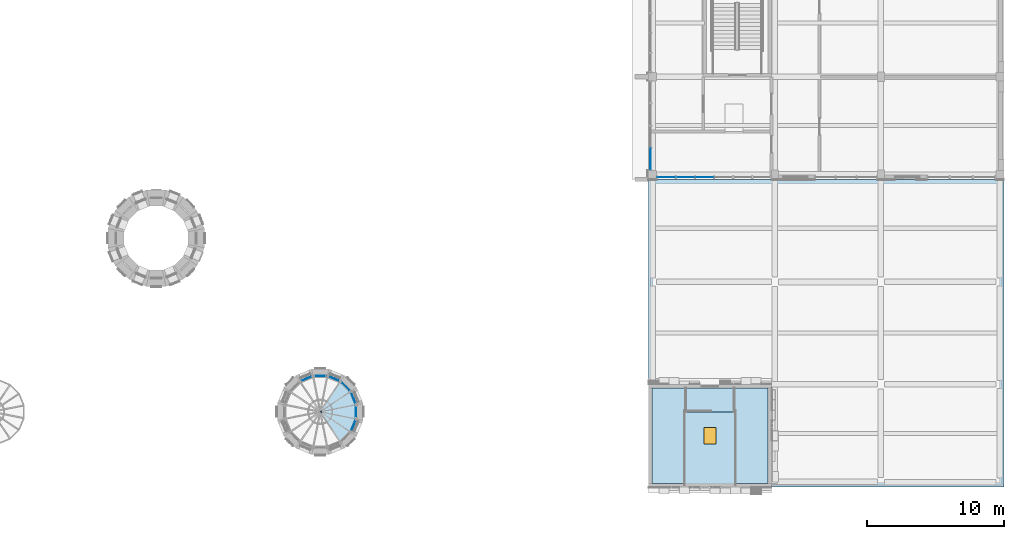
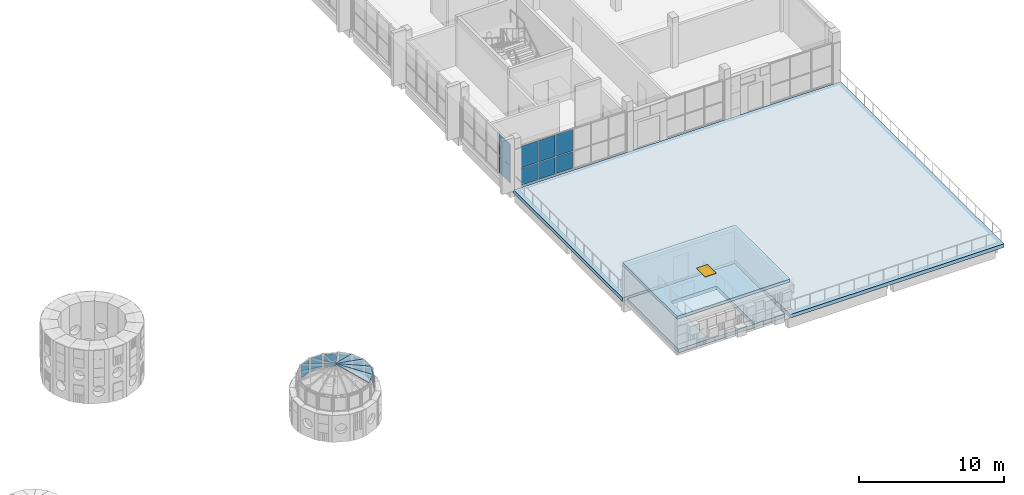
# One storey, part 23 of 42: 15 plates, 8 slabs, 1 window, 1 opening, 9 elements without a shape of their own.
"""IFC4 building model written with IfcOpenShell, lengths in metres."""

from ifc_helpers import new_model, si_unit, direction, frame, origin, origin_2d, place, context, subcontext, project, spatial, polyline, rectangle, outline, extrude, material, layer, layer_set, type_object, element, fill, aggregate, save


model = new_model("IFC4")

# Units and contexts
model_context = context("Model", 3, precision=1e-05, world=origin(), true_north=direction((0.0, 1.0)))
body_context = subcontext(model_context, "Body", "Model", "MODEL_VIEW")
ifc_project = project(units=[si_unit("LENGTHUNIT", "METRE"), si_unit("AREAUNIT", "SQUARE_METRE"), si_unit("VOLUMEUNIT", "CUBIC_METRE"), si_unit("PLANEANGLEUNIT", "RADIAN"), si_unit("MASSUNIT", "GRAM", prefix="KILO")], contexts=[model_context])

# Site, building, storey
site_placement = place(None, origin())
site = spatial("IfcSite", under=ifc_project, at=site_placement, CompositionType="ELEMENT")
building_placement = place(site_placement, origin())
building = spatial("IfcBuilding", under=site, at=building_placement, Name="Sun Court Science Centre", CompositionType="ELEMENT")
storey_placement = place(building_placement, frame((0.0, 0.0, 20.25)))
storey = spatial("IfcBuildingStorey", under=building, at=storey_placement, Name="L04", CompositionType="ELEMENT", Elevation=20.25)

# Curtain wall, plate
ifc_material_1 = material(Name="Aluminium EN AW-6063 T6", Category="aluminium")
curtain_wall_type_1 = type_object("IfcCurtainWallType", Name="Lantern clerestory curtain wall 1500", PredefinedType="NOTDEFINED", material=ifc_material_1)
curtain_wall_1_placement = place(storey_placement, origin())
curtain_wall_1 = element("IfcCurtainWall", 1, at=curtain_wall_1_placement, inside=storey, type_object=curtain_wall_type_1, Name="Curtain wall V2 C5 clerestory L04 01", PredefinedType="NOTDEFINED")
ifc_material_2 = material(Name="Insulated glass", Category="glass")
ifc_layer_1 = layer(ifc_material_2, 0.031982421875)
ifc_layer_set_1 = layer_set([ifc_layer_1], Name="Insulated glass")
plate_type_1 = type_object("IfcPlateType", Name="Foyer insulated glazing panel 8-16-8", PredefinedType="CURTAIN_PANEL", material=ifc_layer_set_1)
plate_1_placement = place(storey_placement, frame((56.4267578125, 12.505126953125, 2.0), z_axis=(0.0, 0.0, 1.0), x_axis=(0.382683432365, -0.923879532511, 0.0)))
plate_1 = element("IfcPlate", 2, at=plate_1_placement, type_object=plate_type_1, Name="Smoke vent opening light CW4-65 panel 1", PredefinedType="CURTAIN_PANEL", context=body_context, shape_type="SweptSolid", body=[
    extrude(rectangle(XDim=0.830810546875, YDim=0.031982421875, at=origin_2d()), origin(), (0.0, 0.0, 1.0), 1.10009765625),
])
aggregate(curtain_wall_1, [plate_1])

curtain_wall_2_placement = place(storey_placement, origin())
curtain_wall_2 = element("IfcCurtainWall", 3, at=curtain_wall_2_placement, inside=storey, type_object=curtain_wall_type_1, Name="Curtain wall V2 C5 clerestory L04 02", PredefinedType="NOTDEFINED")
plate_2_placement = place(storey_placement, frame((55.857421875, 13.357421875, 2.0), z_axis=(0.0, 0.0, 1.0), x_axis=(0.707106781187, -0.707106781187, 0.0)))
plate_2 = element("IfcPlate", 4, at=plate_2_placement, type_object=plate_type_1, Name="CW4-66 panel 1.1", PredefinedType="CURTAIN_PANEL", context=body_context, shape_type="SweptSolid", body=[
    extrude(rectangle(XDim=0.830810546875, YDim=0.031982421875, at=origin_2d()), origin(), (0.0, 0.0, 1.0), 1.10009765625),
])
aggregate(curtain_wall_2, [plate_2])

curtain_wall_3_placement = place(storey_placement, origin())
curtain_wall_3 = element("IfcCurtainWall", 5, at=curtain_wall_3_placement, inside=storey, type_object=curtain_wall_type_1, Name="Curtain wall V2 C5 clerestory L04 03", PredefinedType="NOTDEFINED")
plate_3_placement = place(storey_placement, frame((55.005126953125, 13.9267578125, 2.0), z_axis=(0.0, 0.0, 1.0), x_axis=(0.923879532511, -0.382683432365, 0.0)))
plate_3 = element("IfcPlate", 6, at=plate_3_placement, type_object=plate_type_1, Name="Smoke vent opening light CW4-67 panel 1", PredefinedType="CURTAIN_PANEL", context=body_context, shape_type="SweptSolid", body=[
    extrude(rectangle(XDim=0.830810546875, YDim=0.031982421875, at=origin_2d()), origin(), (0.0, 0.0, 1.0), 1.10009765625),
])
aggregate(curtain_wall_3, [plate_3])

curtain_wall_4_placement = place(storey_placement, origin())
curtain_wall_4 = element("IfcCurtainWall", 7, at=curtain_wall_4_placement, inside=storey, type_object=curtain_wall_type_1, Name="Curtain wall V2 C5 clerestory L04 04", PredefinedType="NOTDEFINED")
plate_4_placement = place(storey_placement, frame((54.0, 14.126708984375, 2.0), z_axis=(0.0, 0.0, 1.0), x_axis=(1.0, 0.0, 0.0)))
plate_4 = element("IfcPlate", 8, at=plate_4_placement, type_object=plate_type_1, Name="CW4-68 panel 1.1", PredefinedType="CURTAIN_PANEL", context=body_context, shape_type="SweptSolid", body=[
    extrude(rectangle(XDim=0.830810546875, YDim=0.031982421875, at=origin_2d()), origin(), (0.0, 0.0, 1.0), 1.10009765625),
])
aggregate(curtain_wall_4, [plate_4])

curtain_wall_5_placement = place(storey_placement, origin())
curtain_wall_5 = element("IfcCurtainWall", 9, at=curtain_wall_5_placement, inside=storey, type_object=curtain_wall_type_1, Name="Curtain wall V2 C5 clerestory L04 05", PredefinedType="NOTDEFINED")
plate_5_placement = place(storey_placement, frame((52.994873046875, 13.9267578125, 2.0), z_axis=(0.0, 0.0, 1.0), x_axis=(0.923879532511, 0.382683432365, 0.0)))
plate_5 = element("IfcPlate", 10, at=plate_5_placement, type_object=plate_type_1, Name="Smoke vent opening light CW4-69 panel 1", PredefinedType="CURTAIN_PANEL", context=body_context, shape_type="SweptSolid", body=[
    extrude(rectangle(XDim=0.830810546875, YDim=0.031982421875, at=origin_2d()), origin(), (0.0, 0.0, 1.0), 1.10009765625),
])
aggregate(curtain_wall_5, [plate_5])

curtain_wall_6_placement = place(storey_placement, origin())
curtain_wall_6 = element("IfcCurtainWall", 11, at=curtain_wall_6_placement, inside=storey, type_object=curtain_wall_type_1, Name="Curtain wall V2 C5 clerestory L04 15", PredefinedType="NOTDEFINED")
plate_6_placement = place(storey_placement, frame((56.4267578125, 10.494873046875, 2.0), z_axis=(0.0, 0.0, 1.0), x_axis=(-0.382683432365, -0.923879532511, 0.0)))
plate_6 = element("IfcPlate", 12, at=plate_6_placement, type_object=plate_type_1, Name="Smoke vent opening light CW4-79 panel 1", PredefinedType="CURTAIN_PANEL", context=body_context, shape_type="SweptSolid", body=[
    extrude(rectangle(XDim=0.830810546875, YDim=0.031982421875, at=origin_2d()), origin(), (0.0, 0.0, 1.0), 1.10009765625),
])
aggregate(curtain_wall_6, [plate_6])

curtain_wall_7_placement = place(storey_placement, origin())
curtain_wall_7 = element("IfcCurtainWall", 13, at=curtain_wall_7_placement, inside=storey, type_object=curtain_wall_type_1, Name="Curtain wall V2 C5 clerestory L04 16", PredefinedType="NOTDEFINED")
plate_7_placement = place(storey_placement, frame((56.626708984375, 11.5, 2.0), z_axis=(0.0, 0.0, 1.0), x_axis=(0.0, -1.0, 0.0)))
plate_7 = element("IfcPlate", 14, at=plate_7_placement, type_object=plate_type_1, Name="CW4-80 panel 1.1", PredefinedType="CURTAIN_PANEL", context=body_context, shape_type="SweptSolid", body=[
    extrude(rectangle(XDim=0.830810546875, YDim=0.031982421875, at=origin_2d()), origin(), (0.0, 0.0, 1.0), 1.10009765625),
])
aggregate(curtain_wall_7, [plate_7])

# Slabs
ifc_material_3 = material(Name="Toughened safety glass", Category="glass")
ifc_layer_2 = layer(ifc_material_3, 0.06005859375)
ifc_layer_set_2 = layer_set([ifc_layer_2], Name="Toughened safety glass")
slab_type_1 = type_object("IfcSlabType", Name="Glazed lantern panel 60", PredefinedType="ROOF", material=ifc_layer_set_2)
slab_1_placement = place(storey_placement, frame((56.53857421875, 12.0048828125, 3.3095703125), z_axis=(0.27778368387, 0.115052739813, 0.953729045399), x_axis=(-0.38265779885, 0.923890149844, 0.0)))
element("IfcSlab", 15, at=slab_1_placement, inside=storey, type_object=slab_type_1, Name="Smoke vent opening light cone 5 panel 01", PredefinedType="ROOF", context=body_context, shape_type="SweptSolid", body=[
    extrude(outline(polyline([(0.0, 0.0), (1.009974474678799, 0.0), (0.5049489654690642, 2.661721453601502), (0.0, 0.0)])), origin(), (0.0, 0.0, -1.0), 0.06005859375),
])
for number, where, z_axis, x_axis, name in (
    (16, (56.152099609375, 12.93798828125, 3.3095703125), (0.212602884562, 0.212602884562, 0.953729535535), (-0.707106781187, 0.707106781187, 0.0), "Lantern glazing cone 5 panel 02"),
    (17, (55.43798828125, 9.347900390625, 3.3095703125), (0.212602884562, -0.212602884562, 0.953729535535), (0.707106781187, 0.707106781187, 0.0), "Lantern glazing cone 5 panel 14"),
):
    element("IfcSlab", number, at=place(storey_placement, frame(where, z_axis=z_axis, x_axis=x_axis)), inside=storey, type_object=slab_type_1, Name=name, PredefinedType="ROOF", context=body_context, shape_type="SweptSolid", body=[
        extrude(outline(polyline([(0.0, 0.0), (1.0099059252786384, 0.0), (0.5049529626393192, 2.6617352173040842), (0.0, 0.0)])), origin(), (0.0, 0.0, -1.0), 0.06005859375),
    ])
slab_2_placement = place(storey_placement, frame((56.152099609375, 10.06201171875, 3.3095703125), z_axis=(0.27778368387, -0.115052739813, 0.953729045399), x_axis=(0.38265779885, 0.923890149844, 0.0)))
element("IfcSlab", 18, at=slab_2_placement, inside=storey, type_object=slab_type_1, Name="Smoke vent opening light cone 5 panel 15", PredefinedType="ROOF", context=body_context, shape_type="SweptSolid", body=[
    extrude(outline(polyline([(0.0, 0.0), (1.009974474678799, 0.0), (0.5050255092097349, 2.661721453601502), (0.0, 0.0)])), origin(), (0.0, 0.0, -1.0), 0.06005859375),
])
slab_3_placement = place(storey_placement, frame((56.53857421875, 10.9951171875, 3.3095703125), z_axis=(0.300666019973, 0.0, 0.953729492274), x_axis=(0.0, 1.0, 0.0)))
element("IfcSlab", 19, at=slab_3_placement, inside=storey, type_object=slab_type_1, Name="Lantern glazing cone 5 panel 16", PredefinedType="ROOF", context=body_context, shape_type="SweptSolid", body=[
    extrude(outline(polyline([(0.0, 0.0), (1.009765625, 0.0), (0.5048828125, 2.66173400247524), (0.0, 0.0)])), origin(), (0.0, 0.0, -1.0), 0.06005859375),
])
ifc_material_4 = material(Name="Concrete C25/30", Category="concrete")
ifc_layer_3 = layer(ifc_material_4, 0.300048828125)
ifc_layer_set_3 = layer_set([ifc_layer_3], Name="Concrete C25/30")
slab_type_2 = type_object("IfcSlabType", Name="RC floor slab 300", PredefinedType="FLOOR", material=ifc_layer_set_3)
slab_4_placement = place(storey_placement, frame((0.0, 0.0, -0.300048828125)))
element("IfcSlab", 20, at=slab_4_placement, inside=storey, type_object=slab_type_2, Name="Stair SL1 landing slab L04", PredefinedType="FLOOR", context=body_context, shape_type="SweptSolid", body=[
    extrude(outline(polyline([(78.25, 13.25), (78.25, 6.25), (86.75, 6.25), (86.75, 13.25), (78.25, 13.25)]), holes=[polyline([(80.677001953125, 6.2548828125), (80.677001953125, 11.4970703125), (84.322998046875, 11.4970703125), (84.322998046875, 6.2548828125), (80.677001953125, 6.2548828125)])]), origin(), (0.0, 0.0, 1.0), 0.300048828125),
])

# Slab, opening, window
ifc_material_5 = material(Name="Concrete C25/30", Category="concrete")
ifc_layer_4 = layer(ifc_material_5, 0.25)
ifc_layer_set_4 = layer_set([ifc_layer_4], Name="Concrete C25/30")
slab_type_3 = type_object("IfcSlabType", Name="RC head-house roof 250", PredefinedType="ROOF", material=ifc_layer_set_4)
slab_5_placement = place(storey_placement, frame((0.0, 0.0, 2.75)))
slab_5 = element("IfcSlab", 21, at=slab_5_placement, inside=storey, type_object=slab_type_3, Name="Roof of core SL1", PredefinedType="ROOF", context=body_context, shape_type="SweptSolid", body=[
    extrude(outline(polyline([(78.0, 6.0), (87.0, 6.0), (87.0, 13.5), (78.0, 13.5), (78.0, 6.0)])), origin(), (0.0, 0.0, 1.0), 0.25),
])
opening_placement = place(slab_5_placement, frame((82.5, 9.75, -0.010009765625)))
opening = element("IfcOpeningElement", 22, at=opening_placement, cuts=slab_5, Name="Opening WN-L04-058", PredefinedType="OPENING", context=body_context, shape_type="SweptSolid", body=[
    extrude(rectangle(XDim=0.89990234375, YDim=1.199951171875, at=origin_2d()), origin(), (0.0, 0.0, 1.0), 0.27001953125),
])
ifc_material_6 = material(Name="Aluminium frame, 6-12-6 glazing", Category="aluminium")
window_type = type_object("IfcWindowType", Name="Roof smoke vent 900 x 1200", PartitioningType="SINGLE_PANEL", PredefinedType="SKYLIGHT", material=ifc_material_6)
window_placement = place(opening_placement, frame((0.0, 0.0, 0.2099609375)))
window = element("IfcWindow", 23, at=window_placement, inside=storey, type_object=window_type, Name="Smoke vent head of stair SL1", OverallHeight=1.199951171875, OverallWidth=0.89990234375, PartitioningType="SINGLE_PANEL", PredefinedType="SKYLIGHT", context=body_context, shape_type="SweptSolid", body=[
    extrude(rectangle(XDim=0.89990234375, YDim=1.199951171875, at=origin_2d()), origin(), (0.0, 0.0, 1.0), 0.050048828125),
])
fill(opening, window)

# Slab
ifc_material_7 = material(Name="Concrete C25/30", Category="concrete")
ifc_layer_5 = layer(ifc_material_7, 0.300048828125)
ifc_layer_set_5 = layer_set([ifc_layer_5], Name="Concrete C25/30")
slab_type_4 = type_object("IfcSlabType", Name="RC terrace slab 300", PredefinedType="ROOF", material=ifc_layer_set_5)
slab_6_placement = place(storey_placement, frame((0.0, 0.0, -0.300048828125)))
element("IfcSlab", 24, at=slab_6_placement, inside=storey, type_object=slab_type_4, Name="Roof terrace slab L04", PredefinedType="ROOF", context=body_context, shape_type="SweptSolid", body=[
    extrude(outline(polyline([(78.0, 28.5), (78.0, 13.5), (87.0, 13.5), (87.0, 6.0), (104.0, 6.0), (104.0, 28.5), (78.0, 28.5)])), origin(), (0.0, 0.0, 1.0), 0.300048828125),
])

# Curtain wall, plates
ifc_material_8 = material(Name="Aluminium EN AW-6063 T6", Category="aluminium")
curtain_wall_type_2 = type_object("IfcCurtainWallType", Name="Laboratory tall bay curtain wall 1500", PredefinedType="NOTDEFINED", material=ifc_material_8)
curtain_wall_8_placement = place(storey_placement, origin())
curtain_wall_8 = element("IfcCurtainWall", 25, at=curtain_wall_8_placement, inside=storey, type_object=curtain_wall_type_2, Name="Curtain wall V4 W L04 01", PredefinedType="NOTDEFINED")
ifc_material_9 = material(Name="Solar-control glass", Category="glass")
ifc_layer_6 = layer(ifc_material_9, 0.028076171875)
ifc_layer_set_6 = layer_set([ifc_layer_6], Name="Solar-control glass")
plate_type_2 = type_object("IfcPlateType", Name="Solar-control glazing panel 8-12-8", PredefinedType="CURTAIN_PANEL", material=ifc_layer_set_6)
plate_8_placement = place(storey_placement, frame((78.14990234375, 29.983642578125, 0.06005859375), z_axis=(0.0, 0.0, 1.0), x_axis=(0.0, 1.0, 0.0)))
plate_8 = element("IfcPlate", 26, at=plate_8_placement, type_object=plate_type_2, Name="CW2-37 panel 1.1", PredefinedType="CURTAIN_PANEL", context=body_context, shape_type="SweptSolid", body=[
    extrude(rectangle(XDim=1.547607421875, YDim=0.028076171875, at=origin_2d()), origin(), (0.0, 0.0, 1.0), 1.409912109375),
])
plate_9_placement = place(storey_placement, frame((78.14990234375, 29.983642578125, 1.530029296875), z_axis=(0.0, 0.0, 1.0), x_axis=(0.0, 1.0, 0.0)))
plate_9 = element("IfcPlate", 27, at=plate_9_placement, type_object=plate_type_2, Name="CW2-37 panel 1.2", PredefinedType="CURTAIN_PANEL", context=body_context, shape_type="SweptSolid", body=[
    extrude(rectangle(XDim=1.547607421875, YDim=0.028076171875, at=origin_2d()), origin(), (0.0, 0.0, 1.0), 1.81005859375),
])
aggregate(curtain_wall_8, [plate_8, plate_9])

curtain_wall_9_placement = place(storey_placement, origin())
curtain_wall_9 = element("IfcCurtainWall", 28, at=curtain_wall_9_placement, inside=storey, type_object=curtain_wall_type_2, Name="Curtain wall V4 S4 L04 03", PredefinedType="NOTDEFINED")
plate_10_placement = place(storey_placement, frame((79.31494140625, 28.64990234375, 0.06005859375), z_axis=(0.0, 0.0, 1.0), x_axis=(-1.0, 0.0, 0.0)))
plate_10 = element("IfcPlate", 29, at=plate_10_placement, type_object=plate_type_2, Name="CW2-57 panel 6.1", PredefinedType="CURTAIN_PANEL", context=body_context, shape_type="SweptSolid", body=[
    extrude(rectangle(XDim=1.31005859375, YDim=0.028076171875, at=origin_2d()), origin(), (0.0, 0.0, 1.0), 1.409912109375),
])
plate_11_placement = place(storey_placement, frame((80.699951171875, 28.64990234375, 0.06005859375), z_axis=(0.0, 0.0, 1.0), x_axis=(-1.0, 0.0, 0.0)))
plate_11 = element("IfcPlate", 30, at=plate_11_placement, type_object=plate_type_2, Name="CW2-57 panel 5.1", PredefinedType="CURTAIN_PANEL", context=body_context, shape_type="SweptSolid", body=[
    extrude(rectangle(XDim=1.340087890625, YDim=0.028076171875, at=origin_2d()), origin(), (0.0, 0.0, 1.0), 1.409912109375),
])
plate_12_placement = place(storey_placement, frame((82.10009765625, 28.64990234375, 0.06005859375), z_axis=(0.0, 0.0, 1.0), x_axis=(-1.0, 0.0, 0.0)))
plate_12 = element("IfcPlate", 31, at=plate_12_placement, type_object=plate_type_2, Name="CW2-57 panel 4.1", PredefinedType="CURTAIN_PANEL", context=body_context, shape_type="SweptSolid", body=[
    extrude(rectangle(XDim=1.340087890625, YDim=0.028076171875, at=origin_2d()), origin(), (0.0, 0.0, 1.0), 1.409912109375),
])
plate_13_placement = place(storey_placement, frame((79.31494140625, 28.64990234375, 1.530029296875), z_axis=(0.0, 0.0, 1.0), x_axis=(-1.0, 0.0, 0.0)))
plate_13 = element("IfcPlate", 32, at=plate_13_placement, type_object=plate_type_2, Name="CW2-57 panel 6.2", PredefinedType="CURTAIN_PANEL", context=body_context, shape_type="SweptSolid", body=[
    extrude(rectangle(XDim=1.31005859375, YDim=0.028076171875, at=origin_2d()), origin(), (0.0, 0.0, 1.0), 1.81005859375),
])
plate_14_placement = place(storey_placement, frame((80.699951171875, 28.64990234375, 1.530029296875), z_axis=(0.0, 0.0, 1.0), x_axis=(-1.0, 0.0, 0.0)))
plate_14 = element("IfcPlate", 33, at=plate_14_placement, type_object=plate_type_2, Name="CW2-57 panel 5.2", PredefinedType="CURTAIN_PANEL", context=body_context, shape_type="SweptSolid", body=[
    extrude(rectangle(XDim=1.340087890625, YDim=0.028076171875, at=origin_2d()), origin(), (0.0, 0.0, 1.0), 1.81005859375),
])
plate_15_placement = place(storey_placement, frame((82.10009765625, 28.64990234375, 1.530029296875), z_axis=(0.0, 0.0, 1.0), x_axis=(-1.0, 0.0, 0.0)))
plate_15 = element("IfcPlate", 34, at=plate_15_placement, type_object=plate_type_2, Name="CW2-57 panel 4.2", PredefinedType="CURTAIN_PANEL", context=body_context, shape_type="SweptSolid", body=[
    extrude(rectangle(XDim=1.340087890625, YDim=0.028076171875, at=origin_2d()), origin(), (0.0, 0.0, 1.0), 1.81005859375),
])
aggregate(curtain_wall_9, [plate_10, plate_11, plate_12, plate_13, plate_14, plate_15])

save(model, "model.ifc")
